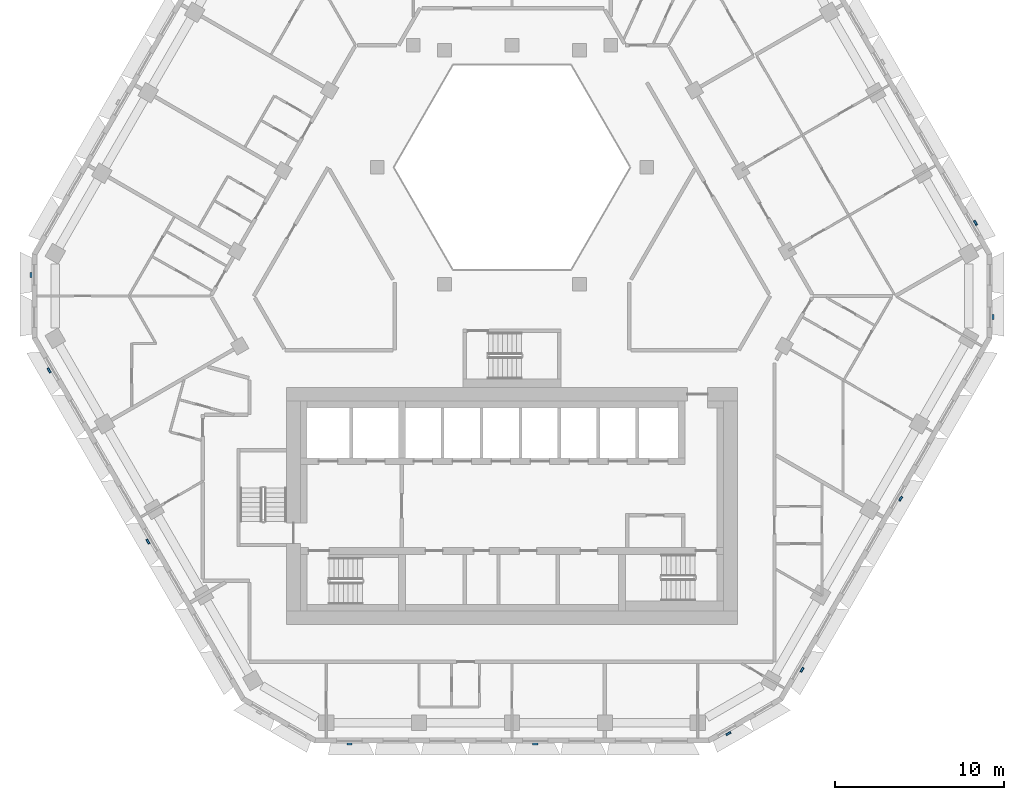
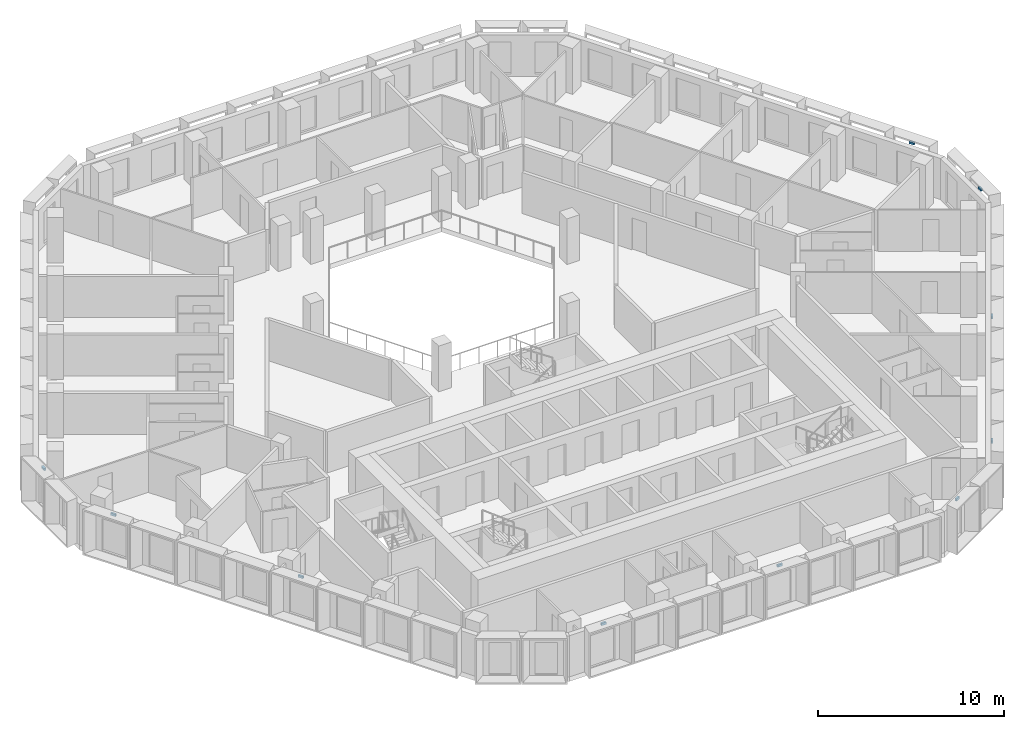
# One storey, part 10 of 17: 10 discrete accessories.
"""IFC4 building model written with IfcOpenShell, lengths in metres."""

from ifc_helpers import new_model, si_unit, direction, frame, origin, place, context, subcontext, project, spatial, polyline, outline, extrude, source, transform, mapped, material, type_object, type_shapes, element, save


model = new_model("IFC4")

# Units and contexts
model_context = context("Model", 3, precision=1e-05, world=origin(), true_north=direction((0.0, 1.0)))
body_context = subcontext(model_context, "Body", "Model", "MODEL_VIEW")
ifc_project = project(units=[si_unit("LENGTHUNIT", "METRE"), si_unit("AREAUNIT", "SQUARE_METRE"), si_unit("VOLUMEUNIT", "CUBIC_METRE"), si_unit("PLANEANGLEUNIT", "RADIAN"), si_unit("MASSUNIT", "GRAM", prefix="KILO")], contexts=[model_context])

# Site, building, storey
site_placement = place(None, origin())
site = spatial("IfcSite", under=ifc_project, at=site_placement, CompositionType="ELEMENT")
building_placement = place(site_placement, origin())
building = spatial("IfcBuilding", under=site, at=building_placement, Name="Beryl Residences", CompositionType="ELEMENT")
storey_placement = place(building_placement, frame((0.0, 0.0, 126.60009765625)))
storey = spatial("IfcBuildingStorey", under=building, at=storey_placement, Name="L38", CompositionType="ELEMENT", Elevation=126.60009765625)

# Discrete accessories
ifc_material = material(Name="Steel S355", Category="steel")
discrete_accessory_type = type_object("IfcDiscreteAccessoryType", Name="BR1 frame bracket 300 x 120 x 150 mm", PredefinedType="BRACKET", material=ifc_material)
shared_shape = source(origin(), body_context, "Body", "SweptSolid", [
    extrude(outline(polyline([(-0.14990234375, 0.0), (0.14990234375, 0.0), (0.14990234375, 0.1201171875), (-0.14990234375, 0.1201171875), (-0.14990234375, 0.0)])), origin(), (0.0, 0.0, 1.0), 0.14990234375),
])
type_shapes(discrete_accessory_type, [shared_shape])
for number, where, z_axis, x_axis, name in (
    (1, (-28.347900390625, 1.64990234375, 2.75), (0.0, 0.0, 1.0), (0.0, 1.0, 0.0), "BR1 bracket L38 NW-SW 1"),
    (2, (-27.27294921875, -3.9619140625, 2.75), (0.0, 0.0, 1.0), (-0.5, 0.866025403784, 0.0), "BR1 bracket L38 SW 1"),
    (3, (-21.44189453125, -14.06201171875, 2.75), (0.0, 0.0, 1.0), (-0.5, 0.866025403784, 0.0), "BR1 bracket L38 SW 5"),
    (4, (-9.597900390625, -26.0, 2.75), (0.0, 0.0, 1.0), (-1.0, 0.0, 0.0), "BR1 bracket L38 S 1"),
    (5, (1.3720703125, -26.0, 2.75), (0.0, 0.0, 1.0), (-1.0, 0.0, 0.0), "BR1 bracket L38 S 5"),
    (6, (12.7451171875, -25.375, 2.75), (0.0, 0.0, 1.0), (-0.866025403784, -0.5, 0.0), "BR1 bracket L38 S-SE 1"),
    (7, (17.06689453125, -21.637939453125, 2.75), (0.0, 0.0, 1.0), (-0.5, -0.866025403784, 0.0), "BR1 bracket L38 SE 1"),
    (8, (22.89794921875, -11.5380859375, 2.75), (0.0, 0.0, 1.0), (-0.5, -0.866025403784, 0.0), "BR1 bracket L38 SE 5"),
    (9, (28.347900390625, -0.85009765625, 2.75), (0.0, 0.0, 1.0), (0.0, -1.0, 0.0), "BR1 bracket L38 SE-NE 1"),
    (10, (27.31591796875, 4.68701171875, 2.75), (0.0, 0.0, 1.0), (0.5, -0.866025403784, 0.0), "BR1 bracket L38 NE 1"),
):
    element("IfcDiscreteAccessory", number, at=place(storey_placement, frame(where, z_axis=z_axis, x_axis=x_axis)), inside=storey, type_object=discrete_accessory_type, Name=name, PredefinedType="BRACKET", context=body_context, shape_type="MappedRepresentation", body=[
        mapped(shared_shape, transform((0.0, 0.0, 0.0))),
    ])

save(model, "model.ifc")
